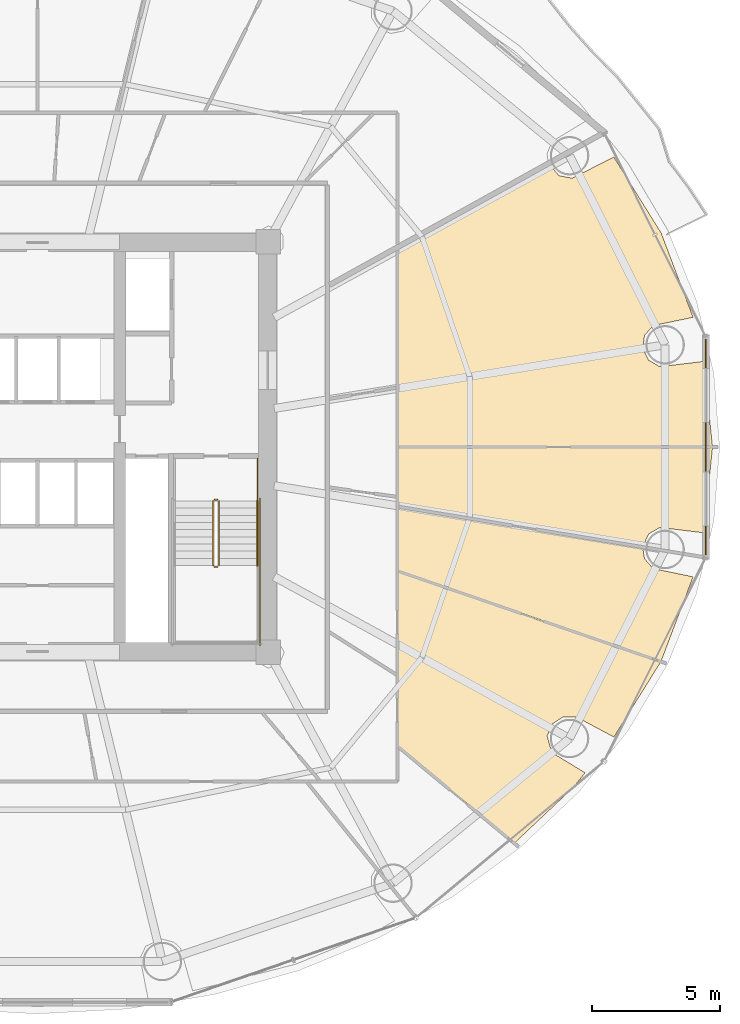
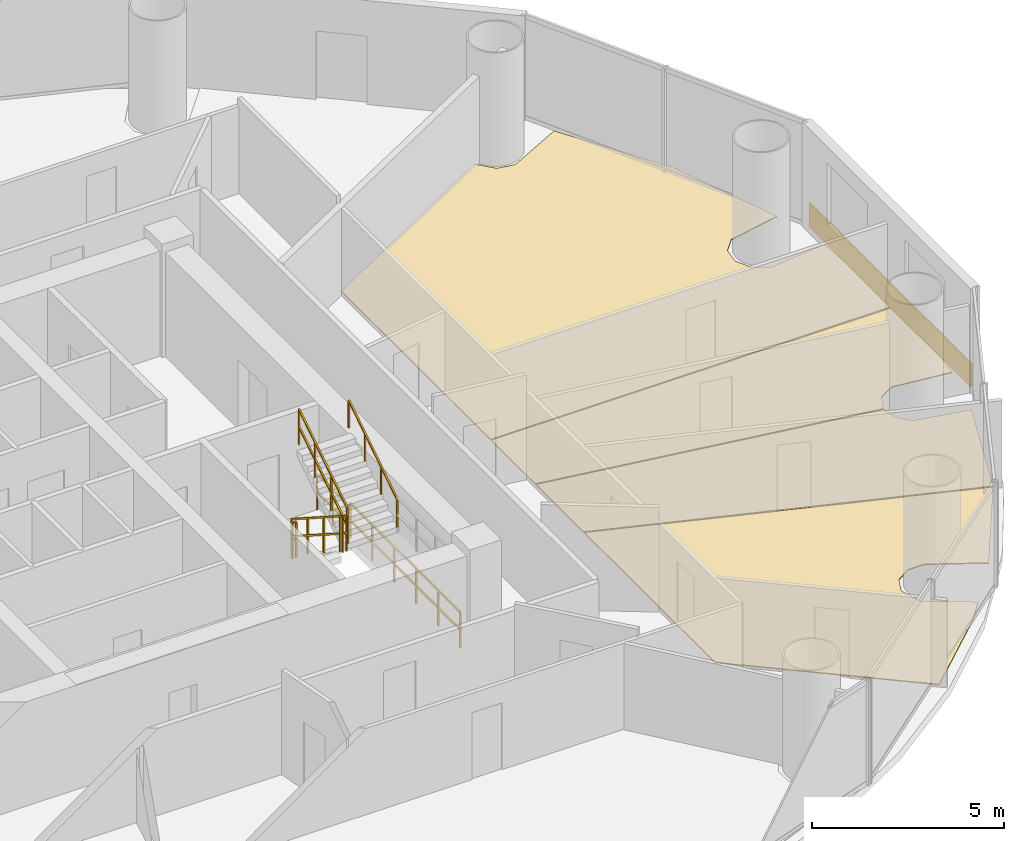
# One storey, part 28 of 29: 7 railings, 5 coverings.
"""IFC4 building model written with IfcOpenShell, lengths in metres."""

import ifcopenshell
import ifcopenshell.guid

model = None  # the IFC model being written
_history = None  # IfcOwnerHistory: only IFC2X3 demands one
_inside = {}  # id of a spatial element -> (the spatial element, [elements in it])
_under = {}  # id of a project, library or spatial element -> (it, [spatial elements below it])
_declared = {}  # id of a project -> (the project, [libraries it declares])
_typed = {}  # id of a type object -> (the type object, [elements of that type])
_made_of = {}  # id of a material, layer set ... -> (it, [elements and type objects made of it])


def new_model(schema):
    """Start an empty IFC model of exactly this schema.

    Asked for "IFC4X3", IfcOpenShell would pick the latest addendum, in which some entities
    have other attributes; the version numbers below select the first issue.
    IFC2X3 requires an IfcOwnerHistory on every rooted entity: one is made here for all.
    """
    global model, _history
    if schema == "IFC4X3":
        model = ifcopenshell.file(schema_version=(4, 3, 0, 0))
    else:
        model = ifcopenshell.file(schema=schema)
    _inside.clear()
    _under.clear()
    _declared.clear()
    _typed.clear()
    _made_of.clear()
    _history = None
    if model.schema == "IFC2X3":
        org = make("IfcOrganization", Name="unknown")
        user = make(
            "IfcPersonAndOrganization",
            ThePerson=make("IfcPerson", FamilyName="unknown"),
            TheOrganization=org,
        )
        app = make(
            "IfcApplication",
            ApplicationDeveloper=org,
            Version="unknown",
            ApplicationFullName="unknown",
            ApplicationIdentifier="unknown",
        )
        _history = make(
            "IfcOwnerHistory",
            OwningUser=user,
            OwningApplication=app,
            ChangeAction="ADDED",
            CreationDate=0,
        )
    return model


def make(cls, **values):
    """One entity of the class cls with the attributes given. An attribute that is None is left unset."""
    return model.create_entity(
        cls, **{name: value for name, value in values.items() if value is not None}
    )


def rooted(cls, **values):
    """An entity with a GlobalId (a new one), such as an element, a storey or a relation."""
    return make(cls, GlobalId=ifcopenshell.guid.new(), OwnerHistory=_history, **values)


def si_unit(unit_type, name, prefix=None):
    """IfcSIUnit, for example si_unit("LENGTHUNIT", "METRE", prefix="MILLI")."""
    return make("IfcSIUnit", UnitType=unit_type, Prefix=prefix, Name=name)


def assignment(units):
    """IfcUnitAssignment: the units of a project."""
    return None if units is None else make("IfcUnitAssignment", Units=units)


def point(xyz):
    """IfcCartesianPoint."""
    return None if xyz is None else make("IfcCartesianPoint", Coordinates=xyz)


def direction(xyz):
    """IfcDirection."""
    return None if xyz is None else make("IfcDirection", DirectionRatios=xyz)


def frame(location, z_axis=None, x_axis=None):
    """IfcAxis2Placement3D, a coordinate frame: its origin and axes. An axis left out is left unset."""
    return make(
        "IfcAxis2Placement3D",
        Location=point(location),
        Axis=direction(z_axis),
        RefDirection=direction(x_axis),
    )


def frame_2d(location, x_axis=None):
    """IfcAxis2Placement2D, a coordinate frame in the plane: its origin and x axis."""
    return make(
        "IfcAxis2Placement2D", Location=point(location), RefDirection=direction(x_axis)
    )


def origin():
    """The frame at (0, 0, 0) with its axes left unset."""
    return frame((0.0, 0.0, 0.0))


def origin_2d():
    """The frame at (0, 0) in the plane with its x axis left unset."""
    return frame_2d((0.0, 0.0))


def place(relative_to, where):
    """IfcLocalPlacement: puts the frame where relative to a parent placement (None: the world)."""
    return make(
        "IfcLocalPlacement", PlacementRelTo=relative_to, RelativePlacement=where
    )


def context(
    kind, dimensions, precision=None, world=None, true_north=None, identifier=None
):
    """IfcGeometricRepresentationContext, for example the 3D "Model" context."""
    return make(
        "IfcGeometricRepresentationContext",
        ContextIdentifier=identifier,
        ContextType=kind,
        CoordinateSpaceDimension=dimensions,
        Precision=precision,
        WorldCoordinateSystem=world,
        TrueNorth=true_north,
    )


def subcontext(parent, identifier, kind, view, scale=None):
    """IfcGeometricRepresentationSubContext, for example "Body" below "Model"."""
    return make(
        "IfcGeometricRepresentationSubContext",
        ContextIdentifier=identifier,
        ContextType=kind,
        ParentContext=parent,
        TargetScale=scale,
        TargetView=view,
    )


def project(units=None, contexts=None):
    """IfcProject with its units and contexts."""
    return rooted(
        "IfcProject",
        Name="project",
        RepresentationContexts=contexts,
        UnitsInContext=assignment(units),
    )


def spatial(cls, under=None, at=None, **own):
    """A site, building, storey or space (cls), placed at a placement, below another one or the project."""
    s = rooted(cls, ObjectPlacement=at, **own)
    if under is not None:
        _under.setdefault(under.id(), (under, []))[1].append(s)
    return s


def polyline(points):
    """IfcPolyline through the points."""
    return make("IfcPolyline", Points=[point(p) for p in points])


def profile(cls, at=None, kind="AREA", **sizes):
    """A parametric profile (cls). Its sizes go by their IFC names, for example OverallWidth=200.0."""
    return make(cls, ProfileType=kind, Position=at, **sizes)


def rectangle(**sizes):
    """IfcRectangleProfileDef."""
    return profile("IfcRectangleProfileDef", **sizes)


def outline(outer, holes=None, kind="AREA"):
    """IfcArbitraryClosedProfileDef: a profile drawn as a closed curve; with holes, ...WithVoids."""
    if holes is None:
        return make("IfcArbitraryClosedProfileDef", ProfileType=kind, OuterCurve=outer)
    return make(
        "IfcArbitraryProfileDefWithVoids",
        ProfileType=kind,
        OuterCurve=outer,
        InnerCurves=holes,
    )


def extrude(swept, where, along, depth):
    """IfcExtrudedAreaSolid: the profile swept, set in the frame where, extruded along a direction by depth."""
    return make(
        "IfcExtrudedAreaSolid",
        SweptArea=swept,
        Position=where,
        ExtrudedDirection=direction(along),
        Depth=depth,
    )


def shape(context_of_items, identifier, shape_type, items):
    """IfcShapeRepresentation: the items that make up one representation, for example the "Body"."""
    return make(
        "IfcShapeRepresentation",
        ContextOfItems=context_of_items,
        RepresentationIdentifier=identifier,
        RepresentationType=shape_type,
        Items=items,
    )


def source(mapping_origin, context_of_items, identifier, shape_type, items):
    """IfcRepresentationMap: a shape defined once, which mapped items show again and again."""
    return make(
        "IfcRepresentationMap",
        MappingOrigin=mapping_origin,
        MappedRepresentation=shape(context_of_items, identifier, shape_type, items),
    )


def transform(
    local_origin,
    x_axis=None,
    y_axis=None,
    z_axis=None,
    scale=None,
    scale2=None,
    scale3=None,
    uniform=True,
):
    """IfcCartesianTransformationOperator3D, or its non-uniform kind. x_axis, y_axis, z_axis: its Axis1, 2, 3."""
    if uniform:
        return make(
            "IfcCartesianTransformationOperator3D",
            Axis1=direction(x_axis),
            Axis2=direction(y_axis),
            LocalOrigin=point(local_origin),
            Scale=scale,
            Axis3=direction(z_axis),
        )
    return make(
        "IfcCartesianTransformationOperator3DnonUniform",
        Axis1=direction(x_axis),
        Axis2=direction(y_axis),
        LocalOrigin=point(local_origin),
        Scale=scale,
        Axis3=direction(z_axis),
        Scale2=scale2,
        Scale3=scale3,
    )


def mapped(mapping_source, mapping_target):
    """IfcMappedItem: shows the shape of a source again, moved by a transform."""
    return make(
        "IfcMappedItem", MappingSource=mapping_source, MappingTarget=mapping_target
    )


def material(Name=None, Category=None):
    """IfcMaterial."""
    return make("IfcMaterial", Name=Name, Category=Category)


def layer(
    of_material, thickness, ventilated=None, Name=None, Category=None, Priority=None
):
    """IfcMaterialLayer: one layer of a wall or slab, of a material (None: an air gap)."""
    return make(
        "IfcMaterialLayer",
        Material=of_material,
        LayerThickness=thickness,
        IsVentilated=ventilated,
        Name=Name,
        Category=Category,
        Priority=Priority,
    )


def layer_set(layers, Name=None):
    """IfcMaterialLayerSet."""
    return make("IfcMaterialLayerSet", MaterialLayers=layers, LayerSetName=Name)


def made_of(thing, what):
    """Note that an element or type object is made of a material, layer set ...; save() writes the relation."""
    if what is not None:
        _made_of.setdefault(what.id(), (what, []))[1].append(thing)
    return thing


def type_object(cls, material=None, **own):
    """A type object (cls), such as IfcWallType, which elements share."""
    return made_of(rooted(cls, **own), material)


def element(
    cls,
    number,
    at=None,
    inside=None,
    cuts=None,
    type_object=None,
    material=None,
    context=None,
    identifier="Body",
    shape_type=None,
    held_by="IfcProductDefinitionShape",
    body=None,
    shapes=None,
    **own,
):
    """One element of the class cls, such as IfcWall. Its Tag is "e" and its number.

    at: its placement. inside: the storey or other place that contains it. cuts: it is an
    opening in that element (IfcRelVoidsElement). A single representation is given by context,
    identifier, shape_type and body (its items); several are given by shapes. held_by: the class
    of the entity that holds the representations. save() writes the other relations.
    """
    e = rooted(cls, Tag="e%d" % number, ObjectPlacement=at, **own)
    if body is not None:
        shapes = [shape(context, identifier, shape_type, body)]
    if shapes is not None:
        e.Representation = make(held_by, Representations=shapes)
    if inside is not None:
        _inside.setdefault(inside.id(), (inside, []))[1].append(e)
    if cuts is not None:
        rooted(
            "IfcRelVoidsElement", RelatingBuildingElement=cuts, RelatedOpeningElement=e
        )
    if type_object is not None:
        _typed.setdefault(type_object.id(), (type_object, []))[1].append(e)
    return made_of(e, material)


def aggregate(whole, parts):
    """IfcRelAggregates: a whole, such as a stair, and the parts it consists of."""
    return rooted("IfcRelAggregates", RelatingObject=whole, RelatedObjects=parts)


def save(model, path):
    """Write the relations noted so far, then the file.

    IfcRelAggregates (storeys below a building ...), IfcRelContainedInSpatialStructure (elements
    in a storey), IfcRelDefinesByType, IfcRelAssociatesMaterial and IfcRelDeclares: one each for
    every whole, place, type object, material and project.
    """
    for whole, parts in _under.values():
        aggregate(whole, parts)
    for where, things in _inside.values():
        rooted(
            "IfcRelContainedInSpatialStructure",
            RelatedElements=things,
            RelatingStructure=where,
        )
    for kind, things in _typed.values():
        rooted("IfcRelDefinesByType", RelatedObjects=things, RelatingType=kind)
    for what, things in _made_of.values():
        rooted("IfcRelAssociatesMaterial", RelatedObjects=things, RelatingMaterial=what)
    for by, libraries in _declared.values():
        rooted("IfcRelDeclares", RelatingContext=by, RelatedDefinitions=libraries)
    model.write(path)


model = new_model("IFC4")

# Units and contexts
model_context = context("Model", 3, precision=1e-05, world=origin(), true_north=direction((-0.2419218956, 0.970295726276)))
body_context = subcontext(model_context, "Body", "Model", "MODEL_VIEW")
ifc_project = project(units=[si_unit("LENGTHUNIT", "METRE"), si_unit("AREAUNIT", "SQUARE_METRE"), si_unit("VOLUMEUNIT", "CUBIC_METRE"), si_unit("PLANEANGLEUNIT", "RADIAN"), si_unit("MASSUNIT", "GRAM", prefix="KILO")], contexts=[model_context])

# Site, building, storey
site_placement = place(None, origin())
site = spatial("IfcSite", under=ifc_project, at=site_placement, CompositionType="ELEMENT")
building_placement = place(site_placement, origin())
building = spatial("IfcBuilding", under=site, at=building_placement, Name="Cobrevalo Terracotta Tower", CompositionType="ELEMENT")
storey_placement = place(building_placement, frame((0.0, 0.0, 90.60009765625)))
storey = spatial("IfcBuildingStorey", under=building, at=storey_placement, Name="L23", CompositionType="ELEMENT", Elevation=90.60009765625)

# Coverings
ifc_material_1 = material(Name="Engineered Brazilian hardwood flooring", Category="wood")
ifc_layer_1 = layer(ifc_material_1, 0.028076171875)
ifc_layer_set_1 = layer_set([ifc_layer_1], Name="Engineered Brazilian hardwood flooring")
covering_type_1 = type_object("IfcCoveringType", Name="Engineered Hardwood Suite Flooring 28", PredefinedType="FLOORING", material=ifc_layer_set_1)
covering_1_placement = place(storey_placement, origin())
element("IfcCovering", 1, at=covering_1_placement, inside=storey, type_object=covering_type_1, Name="Flat L23C Penthouse Family Lounge floor finish", PredefinedType="FLOORING", context=body_context, shape_type="SweptSolid", body=[
    extrude(outline(polyline([(60.474853515625, 15.49462890625), (59.00927734375, 16.278076171875), (58.498291015625, 16.283447265625), (58.070556640625, 16.00390625), (57.8701171875, 15.53369140625), (58.05908203125, 14.88720703125), (59.35302734375, 14.102294921875), (58.88232421875, 13.518310546875), (56.6044921875, 11.368896484375), (52.054931640625, 15.148681640625), (52.054931640625, 21.94189453125), (62.296875, 18.417236328125), (60.474853515625, 15.49462890625)])), origin(), (0.0, 0.0, 1.0), 0.02978515625),
])
covering_2_placement = place(storey_placement, origin())
element("IfcCovering", 2, at=covering_2_placement, inside=storey, type_object=covering_type_1, Name="Flat L23C Principal Guest Bedroom floor finish", PredefinedType="FLOORING", context=body_context, shape_type="SweptSolid", body=[
    extrude(outline(polyline([(52.054931640625, 21.984375), (52.054931640625, 24.45703125), (61.597412109375, 22.8798828125), (61.669677734375, 22.445556640625), (62.00732421875, 22.06201171875), (63.564208984375, 21.740478515625), (62.3154296875, 18.453369140625), (52.054931640625, 21.984375)])), origin(), (0.0, 0.0, 1.0), 0.02978515625),
])
covering_3_placement = place(storey_placement, origin())
element("IfcCovering", 3, at=covering_3_placement, inside=storey, type_object=covering_type_1, Name="Flat L23C Principal Guest Bedroom floor finish", PredefinedType="FLOORING", context=body_context, shape_type="SweptSolid", body=[
    extrude(outline(polyline([(64.318359375, 26.780029296875), (63.975830078125, 23.45654296875), (62.26904296875, 23.6669921875), (61.8271484375, 23.41064453125), (61.60302734375, 22.919677734375), (52.054931640625, 24.49755859375), (52.054931640625, 26.780029296875), (64.318359375, 26.780029296875)])), origin(), (0.0, 0.0, 1.0), 0.02978515625),
])
covering_4_placement = place(storey_placement, origin())
element("IfcCovering", 4, at=covering_4_placement, inside=storey, type_object=covering_type_1, Name="Flat L23C Penthouse Family Lounge floor finish", PredefinedType="FLOORING", context=body_context, shape_type="SweptSolid", body=[
    extrude(outline(polyline([(57.9296875, 37.8408203125), (58.338134765625, 37.381103515625), (58.84033203125, 37.286376953125), (60.474853515625, 38.10546875), (62.317138671875, 35.14892578125), (63.564208984375, 31.859619140625), (62.00732421875, 31.537841796875), (61.669677734375, 31.154541015625), (61.60205078125, 30.64794921875), (61.8271484375, 30.189208984375), (62.26904296875, 29.932861328125), (63.975830078125, 30.143310546875), (64.318359375, 26.820068359375), (52.054931640625, 26.820068359375), (52.054931640625, 34.57958984375), (57.9296875, 37.8408203125)])), origin(), (0.0, 0.0, 1.0), 0.02978515625),
])

# Railings
ifc_material_2 = material(Name="Brushed stainless steel", Category="steel")
railing_type_1 = type_object("IfcRailingType", Name="Stainless Steel Stair Handrail 900", PredefinedType="HANDRAIL", material=ifc_material_2)
railing_1_placement = place(storey_placement, frame((46.574951171875, 22.179931640625, 1.97998046875)))
element("IfcRailing", 5, at=railing_1_placement, inside=storey, type_object=railing_type_1, Name="L23 ST-2 stair handrail 2", PredefinedType="HANDRAIL", context=body_context, shape_type="SweptSolid", body=[
    extrude(rectangle(XDim=0.048095703125, YDim=0.048095703125, at=origin_2d()), frame((0.0, 0.0, 0.8759765625), z_axis=(0.0, 0.841199657755, 0.540724639528), x_axis=(-1.0, 0.0, 0.0)), (0.0, 0.0, 1.0), 2.995849609375),
    extrude(rectangle(XDim=0.0419921875, YDim=0.0419921875, at=origin_2d()), origin(), (0.0, 0.0, 1.0), 0.851806640625),
    extrude(rectangle(XDim=0.0419921875, YDim=0.0419921875, at=origin_2d()), frame((0.0, 0.840087890625, 0.5400390625)), (0.0, 0.0, 1.0), 0.851806640625),
    extrude(rectangle(XDim=0.0419921875, YDim=0.0419921875, at=origin_2d()), frame((0.0, 1.679931640625, 1.079833984375)), (0.0, 0.0, 1.0), 0.851806640625),
    extrude(rectangle(XDim=0.0419921875, YDim=0.0419921875, at=origin_2d()), frame((0.0, 2.52001953125, 1.619873046875)), (0.0, 0.0, 1.0), 0.851806640625),
])
ifc_material_3 = material(Name="Painted galvanized steel", Category="steel")
railing_type_2 = type_object("IfcRailingType", Name="Stair Well Guard Balustrade 1150", PredefinedType="GUARDRAIL", material=ifc_material_3)
railing_2_placement = place(storey_placement, frame((44.85498046875, 24.699951171875, 0.179931640625)))
element("IfcRailing", 6, at=railing_2_placement, inside=storey, type_object=railing_type_2, Name="L23 ST-2 stair guard 1", PredefinedType="GUARDRAIL", context=body_context, shape_type="SweptSolid", body=[
    extrude(rectangle(XDim=0.048095703125, YDim=0.048095703125, at=origin_2d()), frame((0.0, 0.0, 1.1259765625), z_axis=(0.0, -0.841199657755, 0.540724639528), x_axis=(1.0, 0.0, 0.0)), (0.0, 0.0, 1.0), 2.995849609375),
    extrude(rectangle(XDim=0.048095703125, YDim=0.048095703125, at=origin_2d()), frame((0.0, 0.0, 0.574951171875), z_axis=(0.0, -0.841199657755, 0.540724639528), x_axis=(1.0, 0.0, 0.0)), (0.0, 0.0, 1.0), 2.995849609375),
    extrude(rectangle(XDim=0.0419921875, YDim=0.0419921875, at=origin_2d()), origin(), (0.0, 0.0, 1.0), 1.101806640625),
    extrude(rectangle(XDim=0.0419921875, YDim=0.0419921875, at=origin_2d()), frame((0.0, -0.840087890625, 0.5400390625)), (0.0, 0.0, 1.0), 1.101806640625),
    extrude(rectangle(XDim=0.0419921875, YDim=0.0419921875, at=origin_2d()), frame((0.0, -1.679931640625, 1.079833984375)), (0.0, 0.0, 1.0), 1.101806640625),
    extrude(rectangle(XDim=0.0419921875, YDim=0.0419921875, at=origin_2d()), frame((0.0, -2.52001953125, 1.619873046875)), (0.0, 0.0, 1.0), 1.101806640625),
])
railing_3_placement = place(storey_placement, frame((44.905029296875, 22.1298828125, 1.7998046875)))
element("IfcRailing", 7, at=railing_3_placement, inside=storey, type_object=railing_type_2, Name="L23 ST-2 stair guard 2", PredefinedType="GUARDRAIL", context=body_context, shape_type="SweptSolid", body=[
    extrude(rectangle(XDim=0.048095703125, YDim=0.048095703125, at=origin_2d()), frame((0.0, 0.0, 1.1259765625), z_axis=(1.0, 0.0, 0.0), x_axis=(0.0, 1.0, 0.0)), (0.0, 0.0, 1.0), 0.119873046875),
    extrude(rectangle(XDim=0.048095703125, YDim=0.048095703125, at=origin_2d()), frame((0.0, 0.0, 0.574951171875), z_axis=(1.0, 0.0, 0.0), x_axis=(0.0, 1.0, 0.0)), (0.0, 0.0, 1.0), 0.119873046875),
    extrude(rectangle(XDim=0.0419921875, YDim=0.0419921875, at=origin_2d()), origin(), (0.0, 0.0, 1.0), 1.101806640625),
    extrude(rectangle(XDim=0.0419921875, YDim=0.0419921875, at=origin_2d()), frame((0.119873046875, 0.0, 0.0)), (0.0, 0.0, 1.0), 1.101806640625),
])
railing_4_placement = place(storey_placement, frame((45.074951171875, 22.179931640625, 1.97998046875)))
element("IfcRailing", 8, at=railing_4_placement, inside=storey, type_object=railing_type_2, Name="L23 ST-2 stair guard 6", PredefinedType="GUARDRAIL", context=body_context, shape_type="SweptSolid", body=[
    extrude(rectangle(XDim=0.048095703125, YDim=0.048095703125, at=origin_2d()), frame((0.0, 0.0, 1.1259765625), z_axis=(0.0, 0.841199657755, 0.540724639528), x_axis=(-1.0, 0.0, 0.0)), (0.0, 0.0, 1.0), 2.995849609375),
    extrude(rectangle(XDim=0.048095703125, YDim=0.048095703125, at=origin_2d()), frame((0.0, 0.0, 0.574951171875), z_axis=(0.0, 0.841199657755, 0.540724639528), x_axis=(-1.0, 0.0, 0.0)), (0.0, 0.0, 1.0), 2.995849609375),
    extrude(rectangle(XDim=0.0419921875, YDim=0.0419921875, at=origin_2d()), origin(), (0.0, 0.0, 1.0), 1.101806640625),
    extrude(rectangle(XDim=0.0419921875, YDim=0.0419921875, at=origin_2d()), frame((0.0, 0.840087890625, 0.5400390625)), (0.0, 0.0, 1.0), 1.101806640625),
    extrude(rectangle(XDim=0.0419921875, YDim=0.0419921875, at=origin_2d()), frame((0.0, 1.679931640625, 1.079833984375)), (0.0, 0.0, 1.0), 1.101806640625),
    extrude(rectangle(XDim=0.0419921875, YDim=0.0419921875, at=origin_2d()), frame((0.0, 2.52001953125, 1.619873046875)), (0.0, 0.0, 1.0), 1.101806640625),
])
railing_5_placement = place(storey_placement, frame((44.905029296875, 24.75, 0.0)))
element("IfcRailing", 9, at=railing_5_placement, inside=storey, type_object=railing_type_2, Name="L23 ST-2 stair guard 7", PredefinedType="GUARDRAIL", context=body_context, shape_type="SweptSolid", body=[
    extrude(rectangle(XDim=0.048095703125, YDim=0.048095703125, at=origin_2d()), frame((0.0, 0.0, 1.1259765625), z_axis=(1.0, 0.0, 0.0), x_axis=(0.0, 1.0, 0.0)), (0.0, 0.0, 1.0), 0.119873046875),
    extrude(rectangle(XDim=0.048095703125, YDim=0.048095703125, at=origin_2d()), frame((0.0, 0.0, 0.574951171875), z_axis=(1.0, 0.0, 0.0), x_axis=(0.0, 1.0, 0.0)), (0.0, 0.0, 1.0), 0.119873046875),
    extrude(rectangle(XDim=0.0419921875, YDim=0.0419921875, at=origin_2d()), origin(), (0.0, 0.0, 1.0), 1.101806640625),
    extrude(rectangle(XDim=0.0419921875, YDim=0.0419921875, at=origin_2d()), frame((0.119873046875, 0.0, 0.0)), (0.0, 0.0, 1.0), 1.101806640625),
])
railing_6_placement = place(storey_placement, frame((46.574951171875, 26.35009765625, 0.0)))
element("IfcRailing", 10, at=railing_6_placement, inside=storey, type_object=railing_type_2, Name="L23 ST-2 stair guard 9", PredefinedType="GUARDRAIL", context=body_context, shape_type="SweptSolid", body=[
    extrude(rectangle(XDim=0.048095703125, YDim=0.048095703125, at=origin_2d()), frame((0.0, 0.0, 1.1259765625), z_axis=(0.0, -1.0, 0.0), x_axis=(1.0, 0.0, 0.0)), (0.0, 0.0, 1.0), 1.650146484375),
    extrude(rectangle(XDim=0.048095703125, YDim=0.048095703125, at=origin_2d()), frame((0.0, 0.0, 0.574951171875), z_axis=(0.0, -1.0, 0.0), x_axis=(1.0, 0.0, 0.0)), (0.0, 0.0, 1.0), 1.650146484375),
    extrude(rectangle(XDim=0.0419921875, YDim=0.0419921875, at=origin_2d()), origin(), (0.0, 0.0, 1.0), 1.101806640625),
    extrude(rectangle(XDim=0.0419921875, YDim=0.0419921875, at=origin_2d()), frame((0.0, -0.8251953125, 0.0)), (0.0, 0.0, 1.0), 1.101806640625),
    extrude(rectangle(XDim=0.0419921875, YDim=0.0419921875, at=origin_2d()), frame((0.0, -1.650146484375, 0.0)), (0.0, 0.0, 1.0), 1.101806640625),
])
railing_7_placement = place(storey_placement, frame((46.675048828125, 24.800048828125, 0.0)))
element("IfcRailing", 11, at=railing_7_placement, inside=storey, type_object=railing_type_2, Name="L23 ST-2 stair guard 11", PredefinedType="GUARDRAIL", context=body_context, shape_type="SweptSolid", body=[
    extrude(rectangle(XDim=0.048095703125, YDim=0.048095703125, at=origin_2d()), frame((0.0, 0.0, 1.1259765625), z_axis=(0.0, -1.0, 0.0), x_axis=(1.0, 0.0, 0.0)), (0.0, 0.0, 1.0), 5.72509765625),
    extrude(rectangle(XDim=0.048095703125, YDim=0.048095703125, at=origin_2d()), frame((0.0, 0.0, 0.574951171875), z_axis=(0.0, -1.0, 0.0), x_axis=(1.0, 0.0, 0.0)), (0.0, 0.0, 1.0), 5.72509765625),
    extrude(rectangle(XDim=0.0419921875, YDim=0.0419921875, at=origin_2d()), origin(), (0.0, 0.0, 1.0), 1.101806640625),
    extrude(rectangle(XDim=0.0419921875, YDim=0.0419921875, at=origin_2d()), frame((0.0, -1.14501953125, 0.0)), (0.0, 0.0, 1.0), 1.101806640625),
    extrude(rectangle(XDim=0.0419921875, YDim=0.0419921875, at=origin_2d()), frame((0.0, -2.2900390625, 0.0)), (0.0, 0.0, 1.0), 1.101806640625),
    extrude(rectangle(XDim=0.0419921875, YDim=0.0419921875, at=origin_2d()), frame((0.0, -3.43505859375, 0.0)), (0.0, 0.0, 1.0), 1.101806640625),
    extrude(rectangle(XDim=0.0419921875, YDim=0.0419921875, at=origin_2d()), frame((0.0, -4.580078125, 0.0)), (0.0, 0.0, 1.0), 1.101806640625),
    extrude(rectangle(XDim=0.0419921875, YDim=0.0419921875, at=origin_2d()), frame((0.0, -5.72509765625, 0.0)), (0.0, 0.0, 1.0), 1.101806640625),
])

# Covering
ifc_material_4 = material(Name="Glazed terracotta facade cladding tile", Category="masonry")
ifc_layer_2 = layer(ifc_material_4, 0.044921875)
ifc_layer_set_2 = layer_set([ifc_layer_2], Name="Glazed terracotta facade cladding tile")
covering_type_2 = type_object("IfcCoveringType", Name="Architectural terracotta rainscreen spandrel cladding 45 mm", PredefinedType="CLADDING", material=ifc_layer_set_2)
shared_shape = source(origin(), body_context, "Body", "SweptSolid", [
    extrude(rectangle(XDim=8.411376953125, YDim=0.044921875, at=origin_2d()), origin(), (0.0, 0.0, 1.0), 0.760009765625),
])
covering_5_placement = place(storey_placement, frame((64.0595703125, 26.800048828125, 0.0400390625), z_axis=(0.0, 0.0, 1.0), x_axis=(0.0, 1.0, 0.0)))
element("IfcCovering", 12, at=covering_5_placement, inside=storey, type_object=covering_type_2, Name="L23 terracotta spandrel cladding S16", PredefinedType="CLADDING", context=body_context, shape_type="MappedRepresentation", body=[
    mapped(shared_shape, transform((0.0, 0.0, 0.0), scale=1.0)),
])

save(model, "model.ifc")
